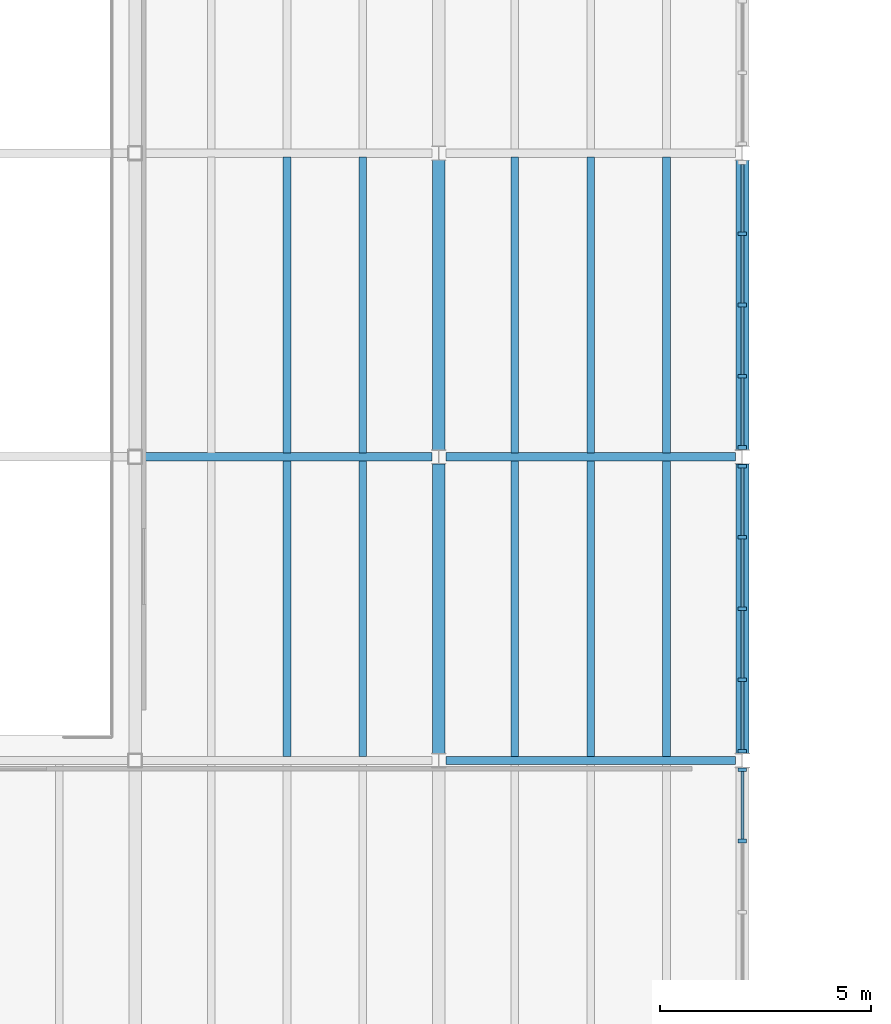
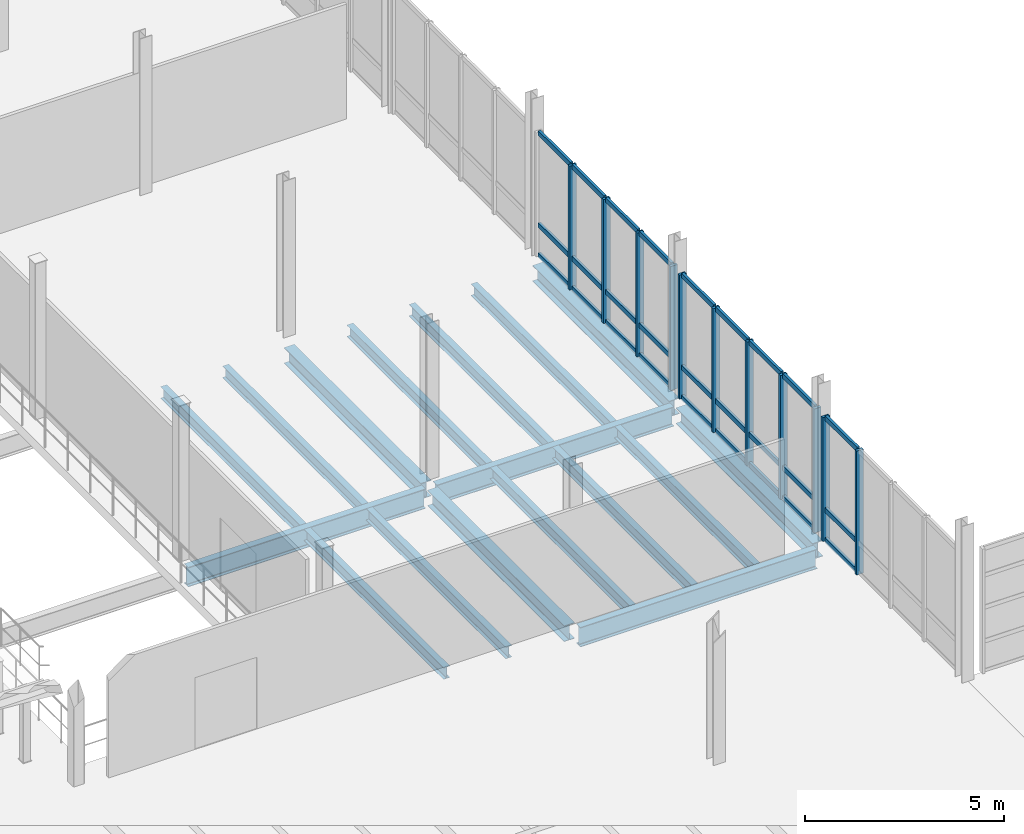
# One storey, part 32 of 77: 38 members, 17 beams, 3 elements without a shape of their own.
"""IFC4 building model written with IfcOpenShell, lengths in metres."""

from ifc_helpers import new_model, si_unit, direction, frame, origin, origin_2d, place, context, subcontext, project, spatial, rectangle, i_section, extrude, material, material_profile, profile_set, type_object, element, aggregate, save


model = new_model("IFC4")

# Units and contexts
model_context = context("Model", 3, precision=1e-05, world=origin(), true_north=direction((0.0, 1.0)))
body_context = subcontext(model_context, "Body", "Model", "MODEL_VIEW")
ifc_project = project(units=[si_unit("LENGTHUNIT", "METRE"), si_unit("AREAUNIT", "SQUARE_METRE"), si_unit("VOLUMEUNIT", "CUBIC_METRE"), si_unit("PLANEANGLEUNIT", "RADIAN"), si_unit("MASSUNIT", "GRAM", prefix="KILO")], contexts=[model_context])

# Site, building, storey
site_placement = place(None, origin())
site = spatial("IfcSite", under=ifc_project, at=site_placement, CompositionType="ELEMENT")
building_placement = place(site_placement, origin())
building = spatial("IfcBuilding", under=site, at=building_placement, Name="Qiaolan Assembly House", CompositionType="ELEMENT")
storey_placement = place(building_placement, frame((0.0, 0.0, 5.39990234375)))
storey = spatial("IfcBuildingStorey", under=building, at=storey_placement, Name="L01", CompositionType="ELEMENT", Elevation=5.39990234375)

# Beams
ifc_material_1 = material(Name="Steel Q355B", Category="steel")
ifc_material_profile_1 = material_profile(ifc_material_1, i_section(OverallWidth=0.300048828125, OverallDepth=0.488037109375, WebThickness=0.010986328125, FlangeThickness=0.01806640625, FilletRadius=0.02001953125, at=origin_2d()), Name="HM 488x300x11x18")
ifc_profile_set_1 = profile_set([ifc_material_profile_1], Name="Steel Q355B")
beam_type_1 = type_object("IfcBeamType", Name="BM-STL-HM488", PredefinedType="BEAM", material=ifc_profile_set_1)
for number, where, z_axis, x_axis, name in (
    (1, (100.800048828125, 50.56494140625, -0.5439453125), (0.0, 1.0, 0.0), (-1.0, 0.0, 0.0), "SB-04 beam BMY-HL-L01-11-02"),
    (2, (100.800048828125, 57.764892578125, -0.5439453125), (0.0, 1.0, 0.0), (-1.0, 0.0, 0.0), "SB-04 beam BMY-HL-L01-11-03"),
    (3, (108.0, 50.56494140625, -0.5439453125), (0.0, 1.0, 0.0), (-1.0, 0.0, 0.0), "SB-04 beam BMY-HL-L01-12-02"),
    (4, (108.0, 57.764892578125, -0.5439453125), (0.0, 1.0, 0.0), (-1.0, 0.0, 0.0), "SB-04 beam BMY-HL-L01-12-03"),
):
    element("IfcBeam", number, at=place(storey_placement, frame(where, z_axis=z_axis, x_axis=x_axis)), inside=storey, type_object=beam_type_1, Name=name, PredefinedType="BEAM", context=body_context, shape_type="SweptSolid", body=[
        extrude(i_section(OverallWidth=0.300048828125, OverallDepth=0.488037109375, WebThickness=0.010986328125, FlangeThickness=0.01806640625, FilletRadius=0.02001953125, at=origin_2d()), origin(), (0.0, 0.0, 1.0), 6.8701171875),
    ])
ifc_material_profile_2 = material_profile(ifc_material_1, i_section(OverallWidth=0.199951171875, OverallDepth=0.60009765625, WebThickness=0.010986328125, FlangeThickness=0.01708984375, FilletRadius=0.02001953125, at=origin_2d()), Name="HN 600x200x11x17")
ifc_profile_set_2 = profile_set([ifc_material_profile_2], Name="Steel Q355B")
beam_type_2 = type_object("IfcBeamType", Name="BM-STL-HN600", PredefinedType="BEAM", material=ifc_profile_set_2)
beam_1_placement = place(storey_placement, frame((100.965087890625, 50.39990234375, -0.599853515625), z_axis=(1.0, 0.0, 0.0), x_axis=(0.0, 1.0, 0.0)))
element("IfcBeam", 5, at=beam_1_placement, inside=storey, type_object=beam_type_2, Name="SB-03 beam BMX-HL-L01-11-02", PredefinedType="BEAM", context=body_context, shape_type="SweptSolid", body=[
    extrude(i_section(OverallWidth=0.199951171875, OverallDepth=0.60009765625, WebThickness=0.010986328125, FlangeThickness=0.01708984375, FilletRadius=0.02001953125, at=origin_2d()), origin(), (0.0, 0.0, 1.0), 6.869873046875),
])
beam_2_placement = place(storey_placement, frame((93.75, 57.60009765625, -0.599853515625), z_axis=(1.0, 0.0, 0.0), x_axis=(0.0, 1.0, 0.0)))
element("IfcBeam", 6, at=beam_2_placement, inside=storey, type_object=beam_type_2, Name="SB-03 beam BMX-HL-L01-10-03", PredefinedType="BEAM", context=body_context, shape_type="SweptSolid", body=[
    extrude(i_section(OverallWidth=0.199951171875, OverallDepth=0.60009765625, WebThickness=0.010986328125, FlangeThickness=0.01708984375, FilletRadius=0.02001953125, at=origin_2d()), origin(), (0.0, 0.0, 1.0), 6.885009765625),
])
beam_3_placement = place(storey_placement, frame((100.965087890625, 57.60009765625, -0.599853515625), z_axis=(1.0, 0.0, 0.0), x_axis=(0.0, 1.0, 0.0)))
element("IfcBeam", 7, at=beam_3_placement, inside=storey, type_object=beam_type_2, Name="SB-03 beam BMX-HL-L01-11-03", PredefinedType="BEAM", context=body_context, shape_type="SweptSolid", body=[
    extrude(i_section(OverallWidth=0.199951171875, OverallDepth=0.60009765625, WebThickness=0.010986328125, FlangeThickness=0.01708984375, FilletRadius=0.02001953125, at=origin_2d()), origin(), (0.0, 0.0, 1.0), 6.869873046875),
])

# Curtain wall, members
ifc_material_2 = material(Name="Anodised bronze aluminium", Category="aluminium")
curtain_wall_type = type_object("IfcCurtainWallType", Name="CW-HALL-UPPER-480", PredefinedType="NOTDEFINED", material=ifc_material_2)
curtain_wall_1_placement = place(storey_placement, origin())
curtain_wall_1 = element("IfcCurtainWall", 8, at=curtain_wall_1_placement, inside=storey, type_object=curtain_wall_type, Name="CW-01 Hall East court curtain wall L01-1", PredefinedType="NOTDEFINED")
ifc_material_profile_3 = material_profile(ifc_material_2, rectangle(XDim=0.0859375, YDim=0.199951171875, at=origin_2d()), Name="MUL 86x200")
ifc_profile_set_3 = profile_set([ifc_material_profile_3], Name="Anodised bronze aluminium")
member_type_1 = type_object("IfcMemberType", Name="CW-HALL-UPPER-480-MUL", PredefinedType="MULLION", material=ifc_profile_set_3)
member_1_placement = place(storey_placement, frame((108.0, 50.179931640625, 0.0), z_axis=(0.0, 0.0, 1.0), x_axis=(0.0, -1.0, 0.0)))
member_1 = element("IfcMember", 9, at=member_1_placement, type_object=member_type_1, Name="ML-02 mullion CW-HALL-E-L01-00-1", PredefinedType="MULLION", context=body_context, shape_type="SweptSolid", body=[
    extrude(rectangle(XDim=0.0859375, YDim=0.199951171875, at=origin_2d()), origin(), (0.0, 0.0, 1.0), 3.800048828125),
])
member_2_placement = place(storey_placement, frame((108.0, 48.489990234375, 0.0), z_axis=(0.0, 0.0, 1.0), x_axis=(0.0, -1.0, 0.0)))
member_2 = element("IfcMember", 10, at=member_2_placement, type_object=member_type_1, Name="ML-02 mullion CW-HALL-E-L01-00-2", PredefinedType="MULLION", context=body_context, shape_type="SweptSolid", body=[
    extrude(rectangle(XDim=0.0859375, YDim=0.199951171875, at=origin_2d()), origin(), (0.0, 0.0, 1.0), 3.800048828125),
])

curtain_wall_2_placement = place(storey_placement, origin())
curtain_wall_2 = element("IfcCurtainWall", 11, at=curtain_wall_2_placement, inside=storey, type_object=curtain_wall_type, Name="CW-01 Hall East court curtain wall L01-2", PredefinedType="NOTDEFINED")
member_3_placement = place(storey_placement, frame((108.0, 57.3798828125, 0.0), z_axis=(0.0, 0.0, 1.0), x_axis=(0.0, -1.0, 0.0)))
member_3 = element("IfcMember", 12, at=member_3_placement, type_object=member_type_1, Name="ML-02 mullion CW-HALL-E-L01-01-1", PredefinedType="MULLION", context=body_context, shape_type="SweptSolid", body=[
    extrude(rectangle(XDim=0.0859375, YDim=0.199951171875, at=origin_2d()), origin(), (0.0, 0.0, 1.0), 3.800048828125),
])
member_4_placement = place(storey_placement, frame((108.0, 55.68994140625, 0.0), z_axis=(0.0, 0.0, 1.0), x_axis=(0.0, -1.0, 0.0)))
member_4 = element("IfcMember", 13, at=member_4_placement, type_object=member_type_1, Name="ML-02 mullion CW-HALL-E-L01-01-2", PredefinedType="MULLION", context=body_context, shape_type="SweptSolid", body=[
    extrude(rectangle(XDim=0.0859375, YDim=0.199951171875, at=origin_2d()), origin(), (0.0, 0.0, 1.0), 3.800048828125),
])
member_5_placement = place(storey_placement, frame((108.0, 54.0, 0.0), z_axis=(0.0, 0.0, 1.0), x_axis=(0.0, -1.0, 0.0)))
member_5 = element("IfcMember", 14, at=member_5_placement, type_object=member_type_1, Name="ML-02 mullion CW-HALL-E-L01-01-3", PredefinedType="MULLION", context=body_context, shape_type="SweptSolid", body=[
    extrude(rectangle(XDim=0.0859375, YDim=0.199951171875, at=origin_2d()), origin(), (0.0, 0.0, 1.0), 3.800048828125),
])
member_6_placement = place(storey_placement, frame((108.0, 52.31005859375, 0.0), z_axis=(0.0, 0.0, 1.0), x_axis=(0.0, -1.0, 0.0)))
member_6 = element("IfcMember", 15, at=member_6_placement, type_object=member_type_1, Name="ML-02 mullion CW-HALL-E-L01-01-4", PredefinedType="MULLION", context=body_context, shape_type="SweptSolid", body=[
    extrude(rectangle(XDim=0.0859375, YDim=0.199951171875, at=origin_2d()), origin(), (0.0, 0.0, 1.0), 3.800048828125),
])
member_7_placement = place(storey_placement, frame((108.0, 50.6201171875, 0.0), z_axis=(0.0, 0.0, 1.0), x_axis=(0.0, -1.0, 0.0)))
member_7 = element("IfcMember", 16, at=member_7_placement, type_object=member_type_1, Name="ML-02 mullion CW-HALL-E-L01-01-5", PredefinedType="MULLION", context=body_context, shape_type="SweptSolid", body=[
    extrude(rectangle(XDim=0.0859375, YDim=0.199951171875, at=origin_2d()), origin(), (0.0, 0.0, 1.0), 3.800048828125),
])

curtain_wall_3_placement = place(storey_placement, origin())
curtain_wall_3 = element("IfcCurtainWall", 17, at=curtain_wall_3_placement, inside=storey, type_object=curtain_wall_type, Name="CW-01 Hall East court curtain wall L01-3", PredefinedType="NOTDEFINED")
member_8_placement = place(storey_placement, frame((108.0, 62.889892578125, 0.0), z_axis=(0.0, 0.0, 1.0), x_axis=(0.0, -1.0, 0.0)))
member_8 = element("IfcMember", 18, at=member_8_placement, type_object=member_type_1, Name="ML-02 mullion CW-HALL-E-L01-02-2", PredefinedType="MULLION", context=body_context, shape_type="SweptSolid", body=[
    extrude(rectangle(XDim=0.0859375, YDim=0.199951171875, at=origin_2d()), origin(), (0.0, 0.0, 1.0), 3.800048828125),
])
member_9_placement = place(storey_placement, frame((108.0, 61.199951171875, 0.0), z_axis=(0.0, 0.0, 1.0), x_axis=(0.0, -1.0, 0.0)))
member_9 = element("IfcMember", 19, at=member_9_placement, type_object=member_type_1, Name="ML-02 mullion CW-HALL-E-L01-02-3", PredefinedType="MULLION", context=body_context, shape_type="SweptSolid", body=[
    extrude(rectangle(XDim=0.0859375, YDim=0.199951171875, at=origin_2d()), origin(), (0.0, 0.0, 1.0), 3.800048828125),
])
member_10_placement = place(storey_placement, frame((108.0, 59.510009765625, 0.0), z_axis=(0.0, 0.0, 1.0), x_axis=(0.0, -1.0, 0.0)))
member_10 = element("IfcMember", 20, at=member_10_placement, type_object=member_type_1, Name="ML-02 mullion CW-HALL-E-L01-02-4", PredefinedType="MULLION", context=body_context, shape_type="SweptSolid", body=[
    extrude(rectangle(XDim=0.0859375, YDim=0.199951171875, at=origin_2d()), origin(), (0.0, 0.0, 1.0), 3.800048828125),
])
member_11_placement = place(storey_placement, frame((108.0, 57.820068359375, 0.0), z_axis=(0.0, 0.0, 1.0), x_axis=(0.0, -1.0, 0.0)))
member_11 = element("IfcMember", 21, at=member_11_placement, type_object=member_type_1, Name="ML-02 mullion CW-HALL-E-L01-02-5", PredefinedType="MULLION", context=body_context, shape_type="SweptSolid", body=[
    extrude(rectangle(XDim=0.0859375, YDim=0.199951171875, at=origin_2d()), origin(), (0.0, 0.0, 1.0), 3.800048828125),
])

# Member
ifc_material_profile_4 = material_profile(ifc_material_2, rectangle(XDim=0.075927734375, YDim=0.14990234375, at=origin_2d()), Name="TRN 76x150")
ifc_profile_set_4 = profile_set([ifc_material_profile_4], Name="Anodised bronze aluminium")
member_type_2 = type_object("IfcMemberType", Name="CW-HALL-UPPER-480-TRN", PredefinedType="USERDEFINED", material=ifc_profile_set_4)
member_12_placement = place(storey_placement, frame((108.0, 50.136962890625, 0.030029296875), z_axis=(0.0, -1.0, 0.0), x_axis=(1.0, 0.0, 0.0)))
member_12 = element("IfcMember", 22, at=member_12_placement, type_object=member_type_2, Name="TR-02 transom CW-HALL-E-L01-00-1-1", ObjectType="TRANSOM", PredefinedType="USERDEFINED", context=body_context, shape_type="SweptSolid", body=[
    extrude(rectangle(XDim=0.075927734375, YDim=0.14990234375, at=origin_2d()), origin(), (0.0, 0.0, 1.0), 1.60400390625),
])

member_13_placement = place(storey_placement, frame((108.0, 50.136962890625, 0.9501953125), z_axis=(0.0, -1.0, 0.0), x_axis=(1.0, 0.0, 0.0)))
member_13 = element("IfcMember", 23, at=member_13_placement, type_object=member_type_2, Name="TR-02 transom CW-HALL-E-L01-00-1-2", ObjectType="TRANSOM", PredefinedType="USERDEFINED", context=body_context, shape_type="SweptSolid", body=[
    extrude(rectangle(XDim=0.075927734375, YDim=0.14990234375, at=origin_2d()), origin(), (0.0, 0.0, 1.0), 1.60400390625),
])

member_14_placement = place(storey_placement, frame((108.0, 50.136962890625, 3.77001953125), z_axis=(0.0, -1.0, 0.0), x_axis=(1.0, 0.0, 0.0)))
member_14 = element("IfcMember", 24, at=member_14_placement, type_object=member_type_2, Name="TR-02 transom CW-HALL-E-L01-00-1-3", ObjectType="TRANSOM", PredefinedType="USERDEFINED", context=body_context, shape_type="SweptSolid", body=[
    extrude(rectangle(XDim=0.075927734375, YDim=0.14990234375, at=origin_2d()), origin(), (0.0, 0.0, 1.0), 1.60400390625),
])

aggregate(curtain_wall_1, [member_1, member_2, member_12, member_13, member_14])

member_15_placement = place(storey_placement, frame((108.0, 57.3369140625, 0.030029296875), z_axis=(0.0, -1.0, 0.0), x_axis=(1.0, 0.0, 0.0)))
member_15 = element("IfcMember", 25, at=member_15_placement, type_object=member_type_2, Name="TR-02 transom CW-HALL-E-L01-01-1-1", ObjectType="TRANSOM", PredefinedType="USERDEFINED", context=body_context, shape_type="SweptSolid", body=[
    extrude(rectangle(XDim=0.075927734375, YDim=0.14990234375, at=origin_2d()), origin(), (0.0, 0.0, 1.0), 1.60400390625),
])

member_16_placement = place(storey_placement, frame((108.0, 57.3369140625, 0.9501953125), z_axis=(0.0, -1.0, 0.0), x_axis=(1.0, 0.0, 0.0)))
member_16 = element("IfcMember", 26, at=member_16_placement, type_object=member_type_2, Name="TR-02 transom CW-HALL-E-L01-01-1-2", ObjectType="TRANSOM", PredefinedType="USERDEFINED", context=body_context, shape_type="SweptSolid", body=[
    extrude(rectangle(XDim=0.075927734375, YDim=0.14990234375, at=origin_2d()), origin(), (0.0, 0.0, 1.0), 1.60400390625),
])

member_17_placement = place(storey_placement, frame((108.0, 57.3369140625, 3.77001953125), z_axis=(0.0, -1.0, 0.0), x_axis=(1.0, 0.0, 0.0)))
member_17 = element("IfcMember", 27, at=member_17_placement, type_object=member_type_2, Name="TR-02 transom CW-HALL-E-L01-01-1-3", ObjectType="TRANSOM", PredefinedType="USERDEFINED", context=body_context, shape_type="SweptSolid", body=[
    extrude(rectangle(XDim=0.075927734375, YDim=0.14990234375, at=origin_2d()), origin(), (0.0, 0.0, 1.0), 1.60400390625),
])

member_18_placement = place(storey_placement, frame((108.0, 55.64697265625, 0.030029296875), z_axis=(0.0, -1.0, 0.0), x_axis=(1.0, 0.0, 0.0)))
member_18 = element("IfcMember", 28, at=member_18_placement, type_object=member_type_2, Name="TR-02 transom CW-HALL-E-L01-01-2-1", ObjectType="TRANSOM", PredefinedType="USERDEFINED", context=body_context, shape_type="SweptSolid", body=[
    extrude(rectangle(XDim=0.075927734375, YDim=0.14990234375, at=origin_2d()), origin(), (0.0, 0.0, 1.0), 1.60400390625),
])

member_19_placement = place(storey_placement, frame((108.0, 55.64697265625, 0.9501953125), z_axis=(0.0, -1.0, 0.0), x_axis=(1.0, 0.0, 0.0)))
member_19 = element("IfcMember", 29, at=member_19_placement, type_object=member_type_2, Name="TR-02 transom CW-HALL-E-L01-01-2-2", ObjectType="TRANSOM", PredefinedType="USERDEFINED", context=body_context, shape_type="SweptSolid", body=[
    extrude(rectangle(XDim=0.075927734375, YDim=0.14990234375, at=origin_2d()), origin(), (0.0, 0.0, 1.0), 1.60400390625),
])

member_20_placement = place(storey_placement, frame((108.0, 55.64697265625, 3.77001953125), z_axis=(0.0, -1.0, 0.0), x_axis=(1.0, 0.0, 0.0)))
member_20 = element("IfcMember", 30, at=member_20_placement, type_object=member_type_2, Name="TR-02 transom CW-HALL-E-L01-01-2-3", ObjectType="TRANSOM", PredefinedType="USERDEFINED", context=body_context, shape_type="SweptSolid", body=[
    extrude(rectangle(XDim=0.075927734375, YDim=0.14990234375, at=origin_2d()), origin(), (0.0, 0.0, 1.0), 1.60400390625),
])

member_21_placement = place(storey_placement, frame((108.0, 53.95703125, 0.030029296875), z_axis=(0.0, -1.0, 0.0), x_axis=(1.0, 0.0, 0.0)))
member_21 = element("IfcMember", 31, at=member_21_placement, type_object=member_type_2, Name="TR-02 transom CW-HALL-E-L01-01-3-1", ObjectType="TRANSOM", PredefinedType="USERDEFINED", context=body_context, shape_type="SweptSolid", body=[
    extrude(rectangle(XDim=0.075927734375, YDim=0.14990234375, at=origin_2d()), origin(), (0.0, 0.0, 1.0), 1.60400390625),
])

member_22_placement = place(storey_placement, frame((108.0, 53.95703125, 0.9501953125), z_axis=(0.0, -1.0, 0.0), x_axis=(1.0, 0.0, 0.0)))
member_22 = element("IfcMember", 32, at=member_22_placement, type_object=member_type_2, Name="TR-02 transom CW-HALL-E-L01-01-3-2", ObjectType="TRANSOM", PredefinedType="USERDEFINED", context=body_context, shape_type="SweptSolid", body=[
    extrude(rectangle(XDim=0.075927734375, YDim=0.14990234375, at=origin_2d()), origin(), (0.0, 0.0, 1.0), 1.60400390625),
])

member_23_placement = place(storey_placement, frame((108.0, 53.95703125, 3.77001953125), z_axis=(0.0, -1.0, 0.0), x_axis=(1.0, 0.0, 0.0)))
member_23 = element("IfcMember", 33, at=member_23_placement, type_object=member_type_2, Name="TR-02 transom CW-HALL-E-L01-01-3-3", ObjectType="TRANSOM", PredefinedType="USERDEFINED", context=body_context, shape_type="SweptSolid", body=[
    extrude(rectangle(XDim=0.075927734375, YDim=0.14990234375, at=origin_2d()), origin(), (0.0, 0.0, 1.0), 1.60400390625),
])

member_24_placement = place(storey_placement, frame((108.0, 52.26708984375, 0.030029296875), z_axis=(0.0, -1.0, 0.0), x_axis=(1.0, 0.0, 0.0)))
member_24 = element("IfcMember", 34, at=member_24_placement, type_object=member_type_2, Name="TR-02 transom CW-HALL-E-L01-01-4-1", ObjectType="TRANSOM", PredefinedType="USERDEFINED", context=body_context, shape_type="SweptSolid", body=[
    extrude(rectangle(XDim=0.075927734375, YDim=0.14990234375, at=origin_2d()), origin(), (0.0, 0.0, 1.0), 1.60400390625),
])

member_25_placement = place(storey_placement, frame((108.0, 52.26708984375, 0.9501953125), z_axis=(0.0, -1.0, 0.0), x_axis=(1.0, 0.0, 0.0)))
member_25 = element("IfcMember", 35, at=member_25_placement, type_object=member_type_2, Name="TR-02 transom CW-HALL-E-L01-01-4-2", ObjectType="TRANSOM", PredefinedType="USERDEFINED", context=body_context, shape_type="SweptSolid", body=[
    extrude(rectangle(XDim=0.075927734375, YDim=0.14990234375, at=origin_2d()), origin(), (0.0, 0.0, 1.0), 1.60400390625),
])

member_26_placement = place(storey_placement, frame((108.0, 52.26708984375, 3.77001953125), z_axis=(0.0, -1.0, 0.0), x_axis=(1.0, 0.0, 0.0)))
member_26 = element("IfcMember", 36, at=member_26_placement, type_object=member_type_2, Name="TR-02 transom CW-HALL-E-L01-01-4-3", ObjectType="TRANSOM", PredefinedType="USERDEFINED", context=body_context, shape_type="SweptSolid", body=[
    extrude(rectangle(XDim=0.075927734375, YDim=0.14990234375, at=origin_2d()), origin(), (0.0, 0.0, 1.0), 1.60400390625),
])

aggregate(curtain_wall_2, [member_3, member_4, member_5, member_6, member_7, member_15, member_16, member_17, member_18, member_19, member_20, member_21, member_22, member_23, member_24, member_25, member_26])

member_27_placement = place(storey_placement, frame((108.0, 64.537109375, 0.030029296875), z_axis=(0.0, -1.0, 0.0), x_axis=(1.0, 0.0, 0.0)))
member_27 = element("IfcMember", 37, at=member_27_placement, type_object=member_type_2, Name="TR-02 transom CW-HALL-E-L01-02-1-1", ObjectType="TRANSOM", PredefinedType="USERDEFINED", context=body_context, shape_type="SweptSolid", body=[
    extrude(rectangle(XDim=0.075927734375, YDim=0.14990234375, at=origin_2d()), origin(), (0.0, 0.0, 1.0), 1.60400390625),
])

member_28_placement = place(storey_placement, frame((108.0, 64.537109375, 0.9501953125), z_axis=(0.0, -1.0, 0.0), x_axis=(1.0, 0.0, 0.0)))
member_28 = element("IfcMember", 38, at=member_28_placement, type_object=member_type_2, Name="TR-02 transom CW-HALL-E-L01-02-1-2", ObjectType="TRANSOM", PredefinedType="USERDEFINED", context=body_context, shape_type="SweptSolid", body=[
    extrude(rectangle(XDim=0.075927734375, YDim=0.14990234375, at=origin_2d()), origin(), (0.0, 0.0, 1.0), 1.60400390625),
])

member_29_placement = place(storey_placement, frame((108.0, 64.537109375, 3.77001953125), z_axis=(0.0, -1.0, 0.0), x_axis=(1.0, 0.0, 0.0)))
member_29 = element("IfcMember", 39, at=member_29_placement, type_object=member_type_2, Name="TR-02 transom CW-HALL-E-L01-02-1-3", ObjectType="TRANSOM", PredefinedType="USERDEFINED", context=body_context, shape_type="SweptSolid", body=[
    extrude(rectangle(XDim=0.075927734375, YDim=0.14990234375, at=origin_2d()), origin(), (0.0, 0.0, 1.0), 1.60400390625),
])

member_30_placement = place(storey_placement, frame((108.0, 62.846923828125, 0.030029296875), z_axis=(0.0, -1.0, 0.0), x_axis=(1.0, 0.0, 0.0)))
member_30 = element("IfcMember", 40, at=member_30_placement, type_object=member_type_2, Name="TR-02 transom CW-HALL-E-L01-02-2-1", ObjectType="TRANSOM", PredefinedType="USERDEFINED", context=body_context, shape_type="SweptSolid", body=[
    extrude(rectangle(XDim=0.075927734375, YDim=0.14990234375, at=origin_2d()), origin(), (0.0, 0.0, 1.0), 1.60400390625),
])

member_31_placement = place(storey_placement, frame((108.0, 62.846923828125, 0.9501953125), z_axis=(0.0, -1.0, 0.0), x_axis=(1.0, 0.0, 0.0)))
member_31 = element("IfcMember", 41, at=member_31_placement, type_object=member_type_2, Name="TR-02 transom CW-HALL-E-L01-02-2-2", ObjectType="TRANSOM", PredefinedType="USERDEFINED", context=body_context, shape_type="SweptSolid", body=[
    extrude(rectangle(XDim=0.075927734375, YDim=0.14990234375, at=origin_2d()), origin(), (0.0, 0.0, 1.0), 1.60400390625),
])

member_32_placement = place(storey_placement, frame((108.0, 62.846923828125, 3.77001953125), z_axis=(0.0, -1.0, 0.0), x_axis=(1.0, 0.0, 0.0)))
member_32 = element("IfcMember", 42, at=member_32_placement, type_object=member_type_2, Name="TR-02 transom CW-HALL-E-L01-02-2-3", ObjectType="TRANSOM", PredefinedType="USERDEFINED", context=body_context, shape_type="SweptSolid", body=[
    extrude(rectangle(XDim=0.075927734375, YDim=0.14990234375, at=origin_2d()), origin(), (0.0, 0.0, 1.0), 1.60400390625),
])

member_33_placement = place(storey_placement, frame((108.0, 61.156982421875, 0.030029296875), z_axis=(0.0, -1.0, 0.0), x_axis=(1.0, 0.0, 0.0)))
member_33 = element("IfcMember", 43, at=member_33_placement, type_object=member_type_2, Name="TR-02 transom CW-HALL-E-L01-02-3-1", ObjectType="TRANSOM", PredefinedType="USERDEFINED", context=body_context, shape_type="SweptSolid", body=[
    extrude(rectangle(XDim=0.075927734375, YDim=0.14990234375, at=origin_2d()), origin(), (0.0, 0.0, 1.0), 1.60400390625),
])

member_34_placement = place(storey_placement, frame((108.0, 61.156982421875, 0.9501953125), z_axis=(0.0, -1.0, 0.0), x_axis=(1.0, 0.0, 0.0)))
member_34 = element("IfcMember", 44, at=member_34_placement, type_object=member_type_2, Name="TR-02 transom CW-HALL-E-L01-02-3-2", ObjectType="TRANSOM", PredefinedType="USERDEFINED", context=body_context, shape_type="SweptSolid", body=[
    extrude(rectangle(XDim=0.075927734375, YDim=0.14990234375, at=origin_2d()), origin(), (0.0, 0.0, 1.0), 1.60400390625),
])

member_35_placement = place(storey_placement, frame((108.0, 61.156982421875, 3.77001953125), z_axis=(0.0, -1.0, 0.0), x_axis=(1.0, 0.0, 0.0)))
member_35 = element("IfcMember", 45, at=member_35_placement, type_object=member_type_2, Name="TR-02 transom CW-HALL-E-L01-02-3-3", ObjectType="TRANSOM", PredefinedType="USERDEFINED", context=body_context, shape_type="SweptSolid", body=[
    extrude(rectangle(XDim=0.075927734375, YDim=0.14990234375, at=origin_2d()), origin(), (0.0, 0.0, 1.0), 1.60400390625),
])

member_36_placement = place(storey_placement, frame((108.0, 59.467041015625, 0.030029296875), z_axis=(0.0, -1.0, 0.0), x_axis=(1.0, 0.0, 0.0)))
member_36 = element("IfcMember", 46, at=member_36_placement, type_object=member_type_2, Name="TR-02 transom CW-HALL-E-L01-02-4-1", ObjectType="TRANSOM", PredefinedType="USERDEFINED", context=body_context, shape_type="SweptSolid", body=[
    extrude(rectangle(XDim=0.075927734375, YDim=0.14990234375, at=origin_2d()), origin(), (0.0, 0.0, 1.0), 1.60400390625),
])

member_37_placement = place(storey_placement, frame((108.0, 59.467041015625, 0.9501953125), z_axis=(0.0, -1.0, 0.0), x_axis=(1.0, 0.0, 0.0)))
member_37 = element("IfcMember", 47, at=member_37_placement, type_object=member_type_2, Name="TR-02 transom CW-HALL-E-L01-02-4-2", ObjectType="TRANSOM", PredefinedType="USERDEFINED", context=body_context, shape_type="SweptSolid", body=[
    extrude(rectangle(XDim=0.075927734375, YDim=0.14990234375, at=origin_2d()), origin(), (0.0, 0.0, 1.0), 1.60400390625),
])

member_38_placement = place(storey_placement, frame((108.0, 59.467041015625, 3.77001953125), z_axis=(0.0, -1.0, 0.0), x_axis=(1.0, 0.0, 0.0)))
member_38 = element("IfcMember", 48, at=member_38_placement, type_object=member_type_2, Name="TR-02 transom CW-HALL-E-L01-02-4-3", ObjectType="TRANSOM", PredefinedType="USERDEFINED", context=body_context, shape_type="SweptSolid", body=[
    extrude(rectangle(XDim=0.075927734375, YDim=0.14990234375, at=origin_2d()), origin(), (0.0, 0.0, 1.0), 1.60400390625),
])

aggregate(curtain_wall_3, [member_8, member_9, member_10, member_11, member_27, member_28, member_29, member_30, member_31, member_32, member_33, member_34, member_35, member_36, member_37, member_38])

# Beams
ifc_material_profile_5 = material_profile(ifc_material_1, i_section(OverallWidth=0.179931640625, OverallDepth=0.360107421875, WebThickness=0.008056640625, FlangeThickness=0.011962890625, FilletRadius=0.013916015625, at=origin_2d()), Name="HN 360x180x8x12")
ifc_profile_set_5 = profile_set([ifc_material_profile_5], Name="Steel Q355B")
beam_type_3 = type_object("IfcBeamType", Name="JST-STL-HN360", PredefinedType="JOIST", material=ifc_profile_set_5)
for number, where, z_axis, x_axis, name in (
    (49, (97.199951171875, 50.493896484375, -0.47998046875), (0.0, 1.0, 0.0), (-1.0, 0.0, 0.0), "SJ-06 beam JST-HL-L01-10-02-2"),
    (50, (99.0, 50.493896484375, -0.47998046875), (0.0, 1.0, 0.0), (-1.0, 0.0, 0.0), "SJ-06 beam JST-HL-L01-10-02-3"),
):
    element("IfcBeam", number, at=place(storey_placement, frame(where, z_axis=z_axis, x_axis=x_axis)), inside=storey, type_object=beam_type_3, Name=name, PredefinedType="JOIST", context=body_context, shape_type="SweptSolid", body=[
        extrude(i_section(OverallWidth=0.179931640625, OverallDepth=0.360107421875, WebThickness=0.008056640625, FlangeThickness=0.011962890625, FilletRadius=0.013916015625, at=origin_2d()), origin(), (0.0, 0.0, 1.0), 7.01220703125),
    ])
for number, where, z_axis, x_axis, name in (
    (51, (97.199951171875, 57.694091796875, -0.47998046875), (0.0, 1.0, 0.0), (-1.0, 0.0, 0.0), "SJ-06 beam JST-HL-L01-10-03-2"),
    (52, (99.0, 57.694091796875, -0.47998046875), (0.0, 1.0, 0.0), (-1.0, 0.0, 0.0), "SJ-06 beam JST-HL-L01-10-03-3"),
):
    element("IfcBeam", number, at=place(storey_placement, frame(where, z_axis=z_axis, x_axis=x_axis)), inside=storey, type_object=beam_type_3, Name=name, PredefinedType="JOIST", context=body_context, shape_type="SweptSolid", body=[
        extrude(i_section(OverallWidth=0.179931640625, OverallDepth=0.360107421875, WebThickness=0.008056640625, FlangeThickness=0.011962890625, FilletRadius=0.013916015625, at=origin_2d()), origin(), (0.0, 0.0, 1.0), 7.011962890625),
    ])
for number, where, z_axis, x_axis, name in (
    (53, (102.60009765625, 50.493896484375, -0.47998046875), (0.0, 1.0, 0.0), (-1.0, 0.0, 0.0), "SJ-06 beam JST-HL-L01-11-02-1"),
    (54, (104.39990234375, 50.493896484375, -0.47998046875), (0.0, 1.0, 0.0), (-1.0, 0.0, 0.0), "SJ-06 beam JST-HL-L01-11-02-2"),
    (55, (106.199951171875, 50.493896484375, -0.47998046875), (0.0, 1.0, 0.0), (-1.0, 0.0, 0.0), "SJ-06 beam JST-HL-L01-11-02-3"),
):
    element("IfcBeam", number, at=place(storey_placement, frame(where, z_axis=z_axis, x_axis=x_axis)), inside=storey, type_object=beam_type_3, Name=name, PredefinedType="JOIST", context=body_context, shape_type="SweptSolid", body=[
        extrude(i_section(OverallWidth=0.179931640625, OverallDepth=0.360107421875, WebThickness=0.008056640625, FlangeThickness=0.011962890625, FilletRadius=0.013916015625, at=origin_2d()), origin(), (0.0, 0.0, 1.0), 7.01220703125),
    ])
for number, where, z_axis, x_axis, name in (
    (56, (102.60009765625, 57.694091796875, -0.47998046875), (0.0, 1.0, 0.0), (-1.0, 0.0, 0.0), "SJ-06 beam JST-HL-L01-11-03-1"),
    (57, (104.39990234375, 57.694091796875, -0.47998046875), (0.0, 1.0, 0.0), (-1.0, 0.0, 0.0), "SJ-06 beam JST-HL-L01-11-03-2"),
    (58, (106.199951171875, 57.694091796875, -0.47998046875), (0.0, 1.0, 0.0), (-1.0, 0.0, 0.0), "SJ-06 beam JST-HL-L01-11-03-3"),
):
    element("IfcBeam", number, at=place(storey_placement, frame(where, z_axis=z_axis, x_axis=x_axis)), inside=storey, type_object=beam_type_3, Name=name, PredefinedType="JOIST", context=body_context, shape_type="SweptSolid", body=[
        extrude(i_section(OverallWidth=0.179931640625, OverallDepth=0.360107421875, WebThickness=0.008056640625, FlangeThickness=0.011962890625, FilletRadius=0.013916015625, at=origin_2d()), origin(), (0.0, 0.0, 1.0), 7.011962890625),
    ])

save(model, "model.ifc")
